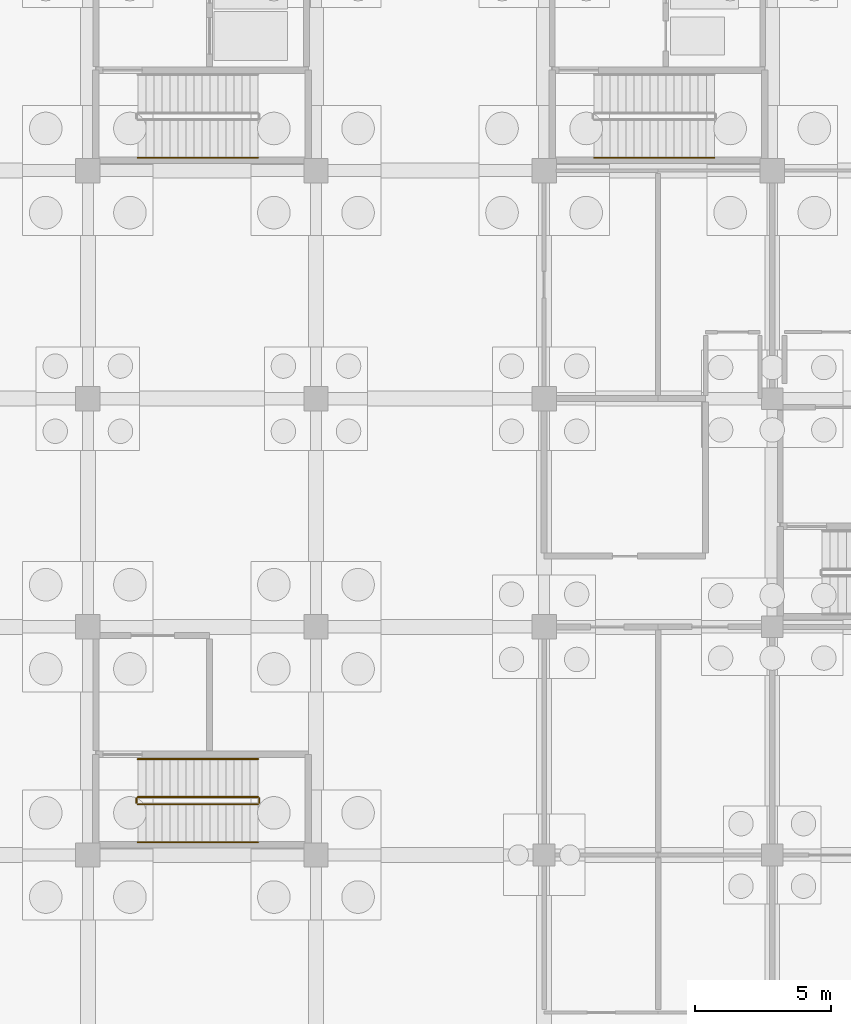
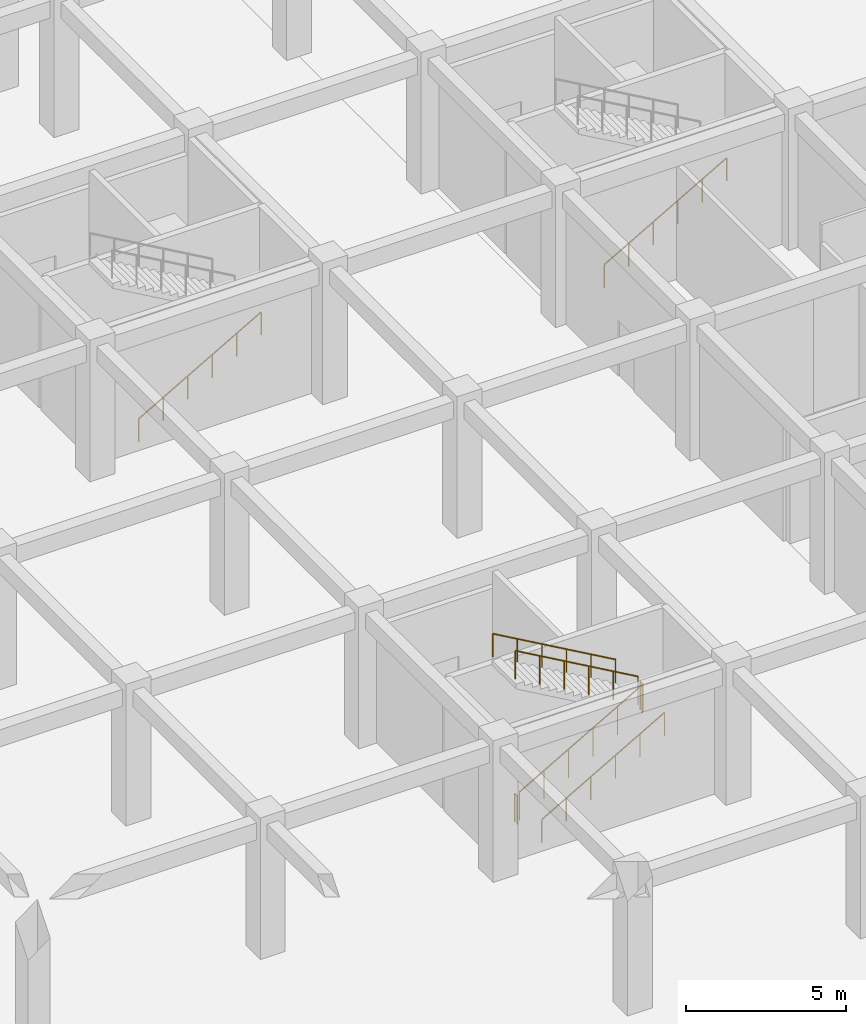
# One storey, part 59 of 65: 8 railings.
"""IFC4 building model written with IfcOpenShell, lengths in metres."""

from ifc_helpers import new_model, si_unit, direction, frame, origin, origin_2d, place, context, subcontext, project, spatial, circle, extrude, material, type_object, element, save


model = new_model("IFC4")

# Units and contexts
model_context = context("Model", 3, precision=1e-05, world=origin(), true_north=direction((0.0, 1.0)))
body_context = subcontext(model_context, "Body", "Model", "MODEL_VIEW")
ifc_project = project(units=[si_unit("LENGTHUNIT", "METRE"), si_unit("AREAUNIT", "SQUARE_METRE"), si_unit("VOLUMEUNIT", "CUBIC_METRE"), si_unit("PLANEANGLEUNIT", "RADIAN"), si_unit("MASSUNIT", "GRAM", prefix="KILO")], contexts=[model_context])

# Site, building, storey
site_placement = place(None, origin())
site = spatial("IfcSite", under=ifc_project, at=site_placement, CompositionType="ELEMENT")
building_placement = place(site_placement, origin())
building = spatial("IfcBuilding", under=site, at=building_placement, Name="Bramfleet General Hospital", CompositionType="ELEMENT")
storey_placement = place(building_placement, frame((0.0, 0.0, -5.39990234375)))
storey = spatial("IfcBuildingStorey", under=building, at=storey_placement, Name="B1", CompositionType="ELEMENT", Elevation=-5.39990234375)

# Railings
ifc_material_1 = material(Name="Powder-coated steel stair balustrade", Category="steel")
railing_type_1 = type_object("IfcRailingType", Name="RAIL-ST-GUARD", PredefinedType="GUARDRAIL", material=ifc_material_1)
railing_1_placement = place(storey_placement, frame((102.639892578125, 69.070068359375, 0.168701171875)))
element("IfcRailing", 1, at=railing_1_placement, inside=storey, type_object=railing_type_1, Name="B1 ST-C11 stair guard 1", PredefinedType="GUARDRAIL", context=body_context, shape_type="SweptSolid", body=[
    extrude(circle(Radius=0.02392578125, at=origin_2d()), frame((0.0, 0.0, 1.076171875), z_axis=(0.868019072493, 0.0, 0.49653085482), x_axis=(0.0, 1.0, 0.0)), (0.0, 0.0, 1.0), 5.097900390625),
    extrude(circle(Radius=0.02099609375, at=origin_2d()), origin(), (0.0, 0.0, 1.0), 1.052001953125),
    extrude(circle(Radius=0.02099609375, at=origin_2d()), frame((0.885009765625, 0.0, 0.50634765625)), (0.0, 0.0, 1.0), 1.052001953125),
    extrude(circle(Radius=0.02099609375, at=origin_2d()), frame((1.77001953125, 0.0, 1.012451171875)), (0.0, 0.0, 1.0), 1.052001953125),
    extrude(circle(Radius=0.02099609375, at=origin_2d()), frame((2.655029296875, 0.0, 1.518798828125)), (0.0, 0.0, 1.0), 1.052001953125),
    extrude(circle(Radius=0.02099609375, at=origin_2d()), frame((3.5400390625, 0.0, 2.02490234375)), (0.0, 0.0, 1.0), 1.052001953125),
    extrude(circle(Radius=0.02099609375, at=origin_2d()), frame((4.425048828125, 0.0, 2.53125)), (0.0, 0.0, 1.0), 1.052001953125),
])
railing_2_placement = place(storey_placement, frame((107.114990234375, 69.1201171875, 2.699951171875)))
element("IfcRailing", 2, at=railing_2_placement, inside=storey, type_object=railing_type_1, Name="B1 ST-C11 stair guard 2", PredefinedType="GUARDRAIL", context=body_context, shape_type="SweptSolid", body=[
    extrude(circle(Radius=0.02392578125, at=origin_2d()), frame((0.0, 0.0, 1.076171875), z_axis=(0.0, 1.0, 0.0), x_axis=(-1.0, 0.0, 0.0)), (0.0, 0.0, 1.0), 0.159912109375),
    extrude(circle(Radius=0.02099609375, at=origin_2d()), origin(), (0.0, 0.0, 1.0), 1.052001953125),
    extrude(circle(Radius=0.02099609375, at=origin_2d()), frame((0.0, 0.159912109375, 0.0)), (0.0, 0.0, 1.0), 1.052001953125),
])
railing_3_placement = place(storey_placement, frame((107.06494140625, 69.330078125, 2.86865234375)))
element("IfcRailing", 3, at=railing_3_placement, inside=storey, type_object=railing_type_1, Name="B1 ST-C11 stair guard 3", PredefinedType="GUARDRAIL", context=body_context, shape_type="SweptSolid", body=[
    extrude(circle(Radius=0.02392578125, at=origin_2d()), frame((0.0, 0.0, 1.076171875), z_axis=(-0.868019072493, 0.0, 0.49653085482), x_axis=(0.0, -1.0, 0.0)), (0.0, 0.0, 1.0), 5.097900390625),
    extrude(circle(Radius=0.02099609375, at=origin_2d()), origin(), (0.0, 0.0, 1.0), 1.052001953125),
    extrude(circle(Radius=0.02099609375, at=origin_2d()), frame((-0.885009765625, 0.0, 0.50634765625)), (0.0, 0.0, 1.0), 1.052001953125),
    extrude(circle(Radius=0.02099609375, at=origin_2d()), frame((-1.77001953125, 0.0, 1.012451171875)), (0.0, 0.0, 1.0), 1.052001953125),
    extrude(circle(Radius=0.02099609375, at=origin_2d()), frame((-2.655029296875, 0.0, 1.518798828125)), (0.0, 0.0, 1.0), 1.052001953125),
    extrude(circle(Radius=0.02099609375, at=origin_2d()), frame((-3.5400390625, 0.0, 2.02490234375)), (0.0, 0.0, 1.0), 1.052001953125),
    extrude(circle(Radius=0.02099609375, at=origin_2d()), frame((-4.425048828125, 0.0, 2.53125)), (0.0, 0.0, 1.0), 1.052001953125),
])
railing_4_placement = place(storey_placement, frame((102.590087890625, 69.1201171875, 0.0)))
element("IfcRailing", 4, at=railing_4_placement, inside=storey, type_object=railing_type_1, Name="B1 ST-C11 stair guard 4", PredefinedType="GUARDRAIL", context=body_context, shape_type="SweptSolid", body=[
    extrude(circle(Radius=0.02392578125, at=origin_2d()), frame((0.0, 0.0, 1.076171875), z_axis=(0.0, 1.0, 0.0), x_axis=(-1.0, 0.0, 0.0)), (0.0, 0.0, 1.0), 0.159912109375),
    extrude(circle(Radius=0.02099609375, at=origin_2d()), origin(), (0.0, 0.0, 1.0), 1.052001953125),
    extrude(circle(Radius=0.02099609375, at=origin_2d()), frame((0.0, 0.159912109375, 0.0)), (0.0, 0.0, 1.0), 1.052001953125),
])
ifc_material_2 = material(Name="Stainless steel 1.4301 stair handrail", Category="steel")
railing_type_2 = type_object("IfcRailingType", Name="RAIL-ST-HND", PredefinedType="HANDRAIL", material=ifc_material_2)
for number, where, name in (
    (5, (102.639892578125, 92.8701171875, 0.168701171875), "B1 ST-C4 stair handrail 1"),
    (6, (119.43994140625, 92.8701171875, 0.168701171875), "B1 ST-C6 stair handrail 1"),
    (7, (102.639892578125, 67.669921875, 0.168701171875), "B1 ST-C11 stair handrail 1"),
):
    element("IfcRailing", number, at=place(storey_placement, frame(where)), inside=storey, type_object=railing_type_2, Name=name, PredefinedType="HANDRAIL", context=body_context, shape_type="SweptSolid", body=[
        extrude(circle(Radius=0.02392578125, at=origin_2d()), frame((0.0, 0.0, 0.8759765625), z_axis=(0.868019072493, 0.0, 0.49653085482), x_axis=(0.0, 1.0, 0.0)), (0.0, 0.0, 1.0), 5.097900390625),
        extrude(circle(Radius=0.02099609375, at=origin_2d()), origin(), (0.0, 0.0, 1.0), 0.851806640625),
        extrude(circle(Radius=0.02099609375, at=origin_2d()), frame((0.885009765625, 0.0, 0.50634765625)), (0.0, 0.0, 1.0), 0.851806640625),
        extrude(circle(Radius=0.02099609375, at=origin_2d()), frame((1.77001953125, 0.0, 1.012451171875)), (0.0, 0.0, 1.0), 0.851806640625),
        extrude(circle(Radius=0.02099609375, at=origin_2d()), frame((2.655029296875, 0.0, 1.518798828125)), (0.0, 0.0, 1.0), 0.851806640625),
        extrude(circle(Radius=0.02099609375, at=origin_2d()), frame((3.5400390625, 0.0, 2.02490234375)), (0.0, 0.0, 1.0), 0.851806640625),
        extrude(circle(Radius=0.02099609375, at=origin_2d()), frame((4.425048828125, 0.0, 2.53125)), (0.0, 0.0, 1.0), 0.851806640625),
    ])
railing_5_placement = place(storey_placement, frame((107.06494140625, 70.72998046875, 2.86865234375)))
element("IfcRailing", 8, at=railing_5_placement, inside=storey, type_object=railing_type_2, Name="B1 ST-C11 stair handrail 2", PredefinedType="HANDRAIL", context=body_context, shape_type="SweptSolid", body=[
    extrude(circle(Radius=0.02392578125, at=origin_2d()), frame((0.0, 0.0, 0.8759765625), z_axis=(-0.868019072493, 0.0, 0.49653085482), x_axis=(0.0, -1.0, 0.0)), (0.0, 0.0, 1.0), 5.097900390625),
    extrude(circle(Radius=0.02099609375, at=origin_2d()), origin(), (0.0, 0.0, 1.0), 0.851806640625),
    extrude(circle(Radius=0.02099609375, at=origin_2d()), frame((-0.885009765625, 0.0, 0.50634765625)), (0.0, 0.0, 1.0), 0.851806640625),
    extrude(circle(Radius=0.02099609375, at=origin_2d()), frame((-1.77001953125, 0.0, 1.012451171875)), (0.0, 0.0, 1.0), 0.851806640625),
    extrude(circle(Radius=0.02099609375, at=origin_2d()), frame((-2.655029296875, 0.0, 1.518798828125)), (0.0, 0.0, 1.0), 0.851806640625),
    extrude(circle(Radius=0.02099609375, at=origin_2d()), frame((-3.5400390625, 0.0, 2.02490234375)), (0.0, 0.0, 1.0), 0.851806640625),
    extrude(circle(Radius=0.02099609375, at=origin_2d()), frame((-4.425048828125, 0.0, 2.53125)), (0.0, 0.0, 1.0), 0.851806640625),
])

save(model, "model.ifc")
